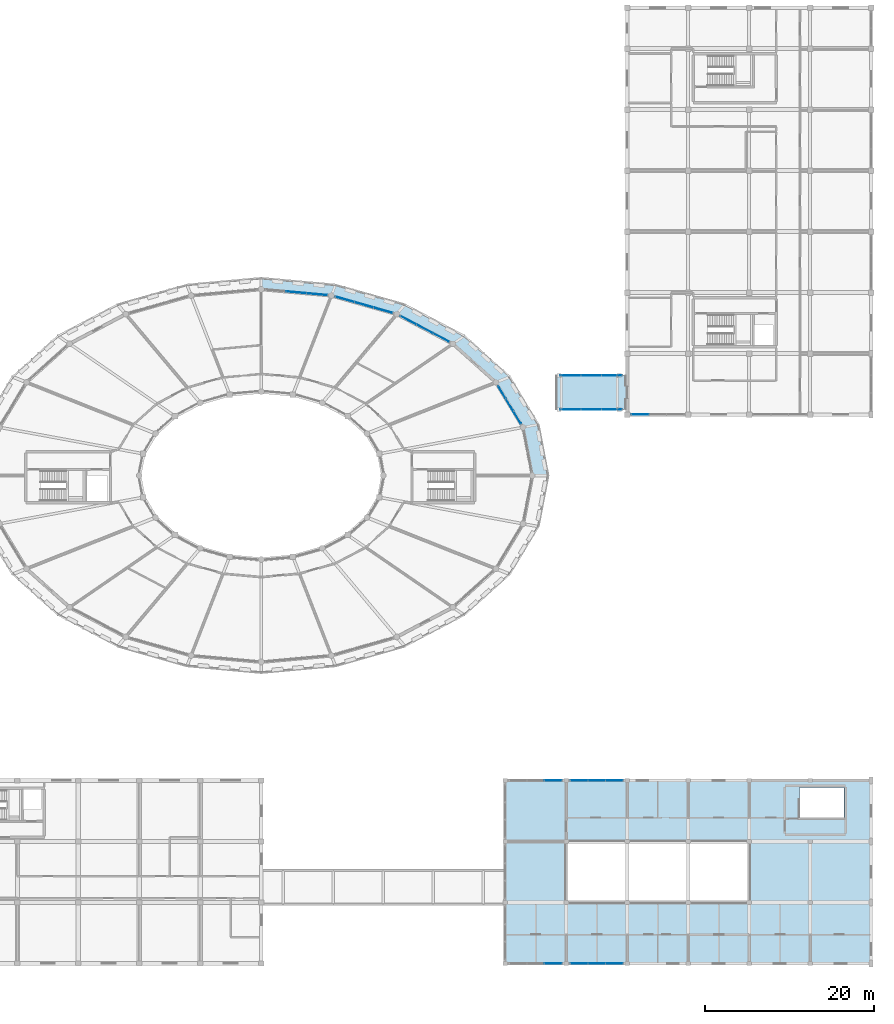
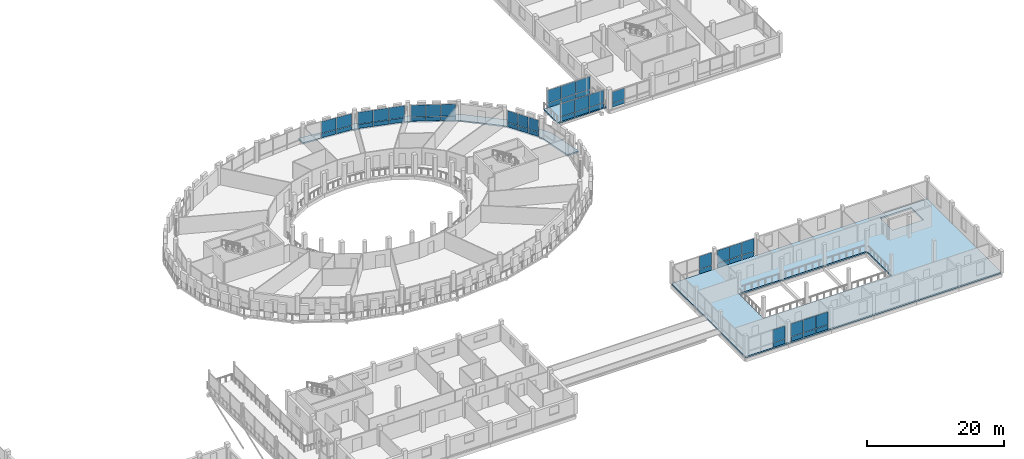
# One storey, part 102 of 128: 52 plates, 3 slabs, 11 elements without a shape of their own.
"""IFC4 building model written with IfcOpenShell, lengths in metres."""

from ifc_helpers import new_model, si_unit, direction, frame, origin, origin_2d, place, context, subcontext, project, spatial, polyline, rectangle, outline, extrude, material, layer, layer_set, type_object, element, aggregate, save


model = new_model("IFC4")

# Units and contexts
model_context = context("Model", 3, precision=1e-05, world=origin(), true_north=direction((0.0, 1.0)))
body_context = subcontext(model_context, "Body", "Model", "MODEL_VIEW")
ifc_project = project(units=[si_unit("LENGTHUNIT", "METRE"), si_unit("AREAUNIT", "SQUARE_METRE"), si_unit("VOLUMEUNIT", "CUBIC_METRE"), si_unit("PLANEANGLEUNIT", "RADIAN"), si_unit("MASSUNIT", "GRAM", prefix="KILO")], contexts=[model_context])

# Site, building, storey
site_placement = place(None, origin())
site = spatial("IfcSite", under=ifc_project, at=site_placement, CompositionType="ELEMENT")
building_placement = place(site_placement, origin())
building = spatial("IfcBuilding", under=site, at=building_placement, Name="Zornivar Specialist Clinic", CompositionType="ELEMENT")
storey_placement = place(building_placement, frame((0.0, 0.0, 4.5)))
storey = spatial("IfcBuildingStorey", under=building, at=storey_placement, Name="L01", CompositionType="ELEMENT", Elevation=4.5)

# Curtain wall, plates
ifc_material_1 = material(Name="Aluminium and Low-E Glass Curtain Wall", Category="aluminium")
curtain_wall_type_1 = type_object("IfcCurtainWallType", Name="CW-DRUM-FACET", PredefinedType="NOTDEFINED", material=ifc_material_1)
curtain_wall_1_placement = place(storey_placement, origin())
curtain_wall_1 = element("IfcCurtainWall", 1, at=curtain_wall_1_placement, inside=storey, type_object=curtain_wall_type_1, Name="cw:V1:L01:c05", PredefinedType="NOTDEFINED")
ifc_material_2 = material(Name="Insulated Bronze Spandrel Panel")
ifc_layer_1 = layer(ifc_material_2, 0.048095703125)
ifc_layer_set_1 = layer_set([ifc_layer_1], Name="Insulated Bronze Spandrel Panel")
plate_type_1 = type_object("IfcPlateType", Name="CWP-SPN-A", PredefinedType="CURTAIN_PANEL", material=ifc_layer_set_1)
plate_1_placement = place(storey_placement, frame((100.18310546875, 79.00390625, 0.03076171875), z_axis=(0.0, 0.0, 1.0), x_axis=(-0.995932792393, 0.09009923993, 0.0)))
plate_1 = element("IfcPlate", 2, at=plate_1_placement, type_object=plate_type_1, Name="cw:V1:L01:c05:spn:0", PredefinedType="CURTAIN_PANEL", context=body_context, shape_type="SweptSolid", body=[
    extrude(rectangle(XDim=2.382080078125, YDim=0.048095703125, at=origin_2d()), origin(), (0.0, 0.0, 1.0), 0.722900390625),
])
plate_2_placement = place(storey_placement, frame((97.740966796875, 79.22509765625, 0.03076171875), z_axis=(0.0, 0.0, 1.0), x_axis=(-0.995932792393, 0.09009923993, 0.0)))
plate_2 = element("IfcPlate", 3, at=plate_2_placement, type_object=plate_type_1, Name="cw:V1:L01:c05:spn:1", PredefinedType="CURTAIN_PANEL", context=body_context, shape_type="SweptSolid", body=[
    extrude(rectangle(XDim=2.382080078125, YDim=0.048095703125, at=origin_2d()), origin(), (0.0, 0.0, 1.0), 0.722900390625),
])

curtain_wall_2_placement = place(storey_placement, origin())
curtain_wall_2 = element("IfcCurtainWall", 4, at=curtain_wall_2_placement, inside=storey, type_object=curtain_wall_type_1, Name="cw:V1:L01:c01", PredefinedType="NOTDEFINED")
ifc_material_3 = material(Name="Insulated Bronze Spandrel Panel")
ifc_layer_2 = layer(ifc_material_3, 0.048095703125)
ifc_layer_set_2 = layer_set([ifc_layer_2], Name="Insulated Bronze Spandrel Panel")
plate_type_2 = type_object("IfcPlateType", Name="CWP-SPN-C", PredefinedType="CURTAIN_PANEL", material=ifc_layer_set_2)
plate_3_placement = place(storey_placement, frame((123.81201171875, 64.452880859375, 0.03076171875), z_axis=(0.0, 0.0, 1.0), x_axis=(-0.516127401954, 0.856511824175, 0.0)))
plate_3 = element("IfcPlate", 5, at=plate_3_placement, type_object=plate_type_2, Name="cw:V1:L01:c01:spn:0", PredefinedType="CURTAIN_PANEL", context=body_context, shape_type="SweptSolid", body=[
    extrude(rectangle(XDim=1.675048828125, YDim=0.048095703125, at=origin_2d()), origin(), (0.0, 0.0, 1.0), 0.722900390625),
])
plate_4_placement = place(storey_placement, frame((122.912109375, 65.947021484375, 0.03076171875), z_axis=(0.0, 0.0, 1.0), x_axis=(-0.516127401954, 0.856511824175, 0.0)))
plate_4 = element("IfcPlate", 6, at=plate_4_placement, type_object=plate_type_2, Name="cw:V1:L01:c01:spn:1", PredefinedType="CURTAIN_PANEL", context=body_context, shape_type="SweptSolid", body=[
    extrude(rectangle(XDim=1.675048828125, YDim=0.048095703125, at=origin_2d()), origin(), (0.0, 0.0, 1.0), 0.722900390625),
])
plate_5_placement = place(storey_placement, frame((122.010986328125, 67.44189453125, 0.03076171875), z_axis=(0.0, 0.0, 1.0), x_axis=(-0.516127401954, 0.856511824175, 0.0)))
plate_5 = element("IfcPlate", 7, at=plate_5_placement, type_object=plate_type_2, Name="cw:V1:L01:c01:spn:2", PredefinedType="CURTAIN_PANEL", context=body_context, shape_type="SweptSolid", body=[
    extrude(rectangle(XDim=1.675048828125, YDim=0.048095703125, at=origin_2d()), origin(), (0.0, 0.0, 1.0), 0.722900390625),
])

# Curtain wall, plate
ifc_material_4 = material(Name="Aluminium and Low-E Glass Curtain Wall", Category="aluminium")
curtain_wall_type_2 = type_object("IfcCurtainWallType", Name="CW-LAB-NORTH", PredefinedType="NOTDEFINED", material=ifc_material_4)
curtain_wall_3_placement = place(storey_placement, origin())
curtain_wall_3 = element("IfcCurtainWall", 8, at=curtain_wall_3_placement, inside=storey, type_object=curtain_wall_type_2, Name="cw:V6:L01:00", PredefinedType="NOTDEFINED")
ifc_material_5 = material(Name="Insulated Limestone-Faced Spandrel Panel", Category="masonry")
ifc_layer_3 = layer(ifc_material_5, 0.05810546875)
ifc_layer_set_3 = layer_set([ifc_layer_3], Name="Insulated Limestone-Faced Spandrel Panel")
plate_type_3 = type_object("IfcPlateType", Name="CWP-SPN-D", PredefinedType="CURTAIN_PANEL", material=ifc_layer_set_3)
plate_6_placement = place(storey_placement, frame((138.320068359375, 64.800048828125, 0.030029296875), z_axis=(0.0, 0.0, 1.0), x_axis=(1.0, 0.0, 0.0)))
plate_6 = element("IfcPlate", 9, at=plate_6_placement, type_object=plate_type_3, Name="cw:V6:L01:00:spn:0", PredefinedType="CURTAIN_PANEL", context=body_context, shape_type="SweptSolid", body=[
    extrude(rectangle(XDim=2.010009765625, YDim=0.05810546875, at=origin_2d()), origin(), (0.0, 0.0, 1.0), 0.68603515625),
])

# Curtain wall, plates
curtain_wall_4_placement = place(storey_placement, origin())
curtain_wall_4 = element("IfcCurtainWall", 10, at=curtain_wall_4_placement, inside=storey, type_object=curtain_wall_type_1, Name="cw:V1:L01:c03", PredefinedType="NOTDEFINED")
ifc_material_6 = material(Name="Insulated Bronze Spandrel Panel")
ifc_layer_4 = layer(ifc_material_6, 0.0458984375)
ifc_layer_set_4 = layer_set([ifc_layer_4], Name="Insulated Bronze Spandrel Panel")
plate_type_4 = type_object("IfcPlateType", Name="CWP-SPN-E", PredefinedType="CURTAIN_PANEL", material=ifc_layer_set_4)
plate_7_placement = place(storey_placement, frame((114.839111328125, 73.887939453125, 0.03076171875), z_axis=(0.0, 0.0, 1.0), x_axis=(-0.884383019078, 0.46676190458, 0.0)))
plate_7 = element("IfcPlate", 11, at=plate_7_placement, type_object=plate_type_4, Name="cw:V1:L01:c03:spn:0", PredefinedType="CURTAIN_PANEL", context=body_context, shape_type="SweptSolid", body=[
    extrude(rectangle(XDim=2.10791015625, YDim=0.0458984375, at=origin_2d()), origin(), (0.0, 0.0, 1.0), 0.722900390625),
])
plate_8_placement = place(storey_placement, frame((112.9130859375, 74.904052734375, 0.03076171875), z_axis=(0.0, 0.0, 1.0), x_axis=(-0.884383019078, 0.46676190458, 0.0)))
plate_8 = element("IfcPlate", 12, at=plate_8_placement, type_object=plate_type_4, Name="cw:V1:L01:c03:spn:1", PredefinedType="CURTAIN_PANEL", context=body_context, shape_type="SweptSolid", body=[
    extrude(rectangle(XDim=2.10791015625, YDim=0.0458984375, at=origin_2d()), origin(), (0.0, 0.0, 1.0), 0.722900390625),
])
plate_9_placement = place(storey_placement, frame((110.987060546875, 75.9208984375, 0.03076171875), z_axis=(0.0, 0.0, 1.0), x_axis=(-0.884383019078, 0.46676190458, 0.0)))
plate_9 = element("IfcPlate", 13, at=plate_9_placement, type_object=plate_type_4, Name="cw:V1:L01:c03:spn:2", PredefinedType="CURTAIN_PANEL", context=body_context, shape_type="SweptSolid", body=[
    extrude(rectangle(XDim=2.10791015625, YDim=0.0458984375, at=origin_2d()), origin(), (0.0, 0.0, 1.0), 0.722900390625),
])

ifc_material_7 = material(Name="Aluminium and Low-E Glass Curtain Wall", Category="aluminium")
curtain_wall_type_3 = type_object("IfcCurtainWallType", Name="CW-BRIDGE-LINK", PredefinedType="NOTDEFINED", material=ifc_material_7)
curtain_wall_5_placement = place(storey_placement, origin())
curtain_wall_5 = element("IfcCurtainWall", 14, at=curtain_wall_5_placement, inside=storey, type_object=curtain_wall_type_3, Name="cw:BR3:L01:S:0", PredefinedType="NOTDEFINED")
plate_10_placement = place(storey_placement, frame((130.10009765625, 65.39990234375, 0.02978515625), z_axis=(0.0, 0.0, 1.0), x_axis=(1.0, 0.0, 0.0)))
plate_10 = element("IfcPlate", 15, at=plate_10_placement, type_object=plate_type_4, Name="cw:BR3:L01:S:0:spn:0", PredefinedType="CURTAIN_PANEL", context=body_context, shape_type="SweptSolid", body=[
    extrude(rectangle(XDim=2.3701171875, YDim=0.0458984375, at=origin_2d()), origin(), (0.0, 0.0, 1.0), 0.781982421875),
])
plate_11_placement = place(storey_placement, frame((132.5400390625, 65.39990234375, 0.02978515625), z_axis=(0.0, 0.0, 1.0), x_axis=(1.0, 0.0, 0.0)))
plate_11 = element("IfcPlate", 16, at=plate_11_placement, type_object=plate_type_4, Name="cw:BR3:L01:S:0:spn:1", PredefinedType="CURTAIN_PANEL", context=body_context, shape_type="SweptSolid", body=[
    extrude(rectangle(XDim=2.3701171875, YDim=0.0458984375, at=origin_2d()), origin(), (0.0, 0.0, 1.0), 0.781982421875),
])
plate_12_placement = place(storey_placement, frame((134.97998046875, 65.39990234375, 0.02978515625), z_axis=(0.0, 0.0, 1.0), x_axis=(1.0, 0.0, 0.0)))
plate_12 = element("IfcPlate", 17, at=plate_12_placement, type_object=plate_type_4, Name="cw:BR3:L01:S:0:spn:2", PredefinedType="CURTAIN_PANEL", context=body_context, shape_type="SweptSolid", body=[
    extrude(rectangle(XDim=2.3701171875, YDim=0.0458984375, at=origin_2d()), origin(), (0.0, 0.0, 1.0), 0.781982421875),
])

curtain_wall_6_placement = place(storey_placement, origin())
curtain_wall_6 = element("IfcCurtainWall", 18, at=curtain_wall_6_placement, inside=storey, type_object=curtain_wall_type_3, Name="cw:BR3:L01:N:0", PredefinedType="NOTDEFINED")
plate_13_placement = place(storey_placement, frame((130.10009765625, 69.39990234375, 0.02978515625), z_axis=(0.0, 0.0, 1.0), x_axis=(1.0, 0.0, 0.0)))
plate_13 = element("IfcPlate", 19, at=plate_13_placement, type_object=plate_type_4, Name="cw:BR3:L01:N:0:spn:0", PredefinedType="CURTAIN_PANEL", context=body_context, shape_type="SweptSolid", body=[
    extrude(rectangle(XDim=2.3701171875, YDim=0.0458984375, at=origin_2d()), origin(), (0.0, 0.0, 1.0), 0.781982421875),
])
plate_14_placement = place(storey_placement, frame((132.5400390625, 69.39990234375, 0.02978515625), z_axis=(0.0, 0.0, 1.0), x_axis=(1.0, 0.0, 0.0)))
plate_14 = element("IfcPlate", 20, at=plate_14_placement, type_object=plate_type_4, Name="cw:BR3:L01:N:0:spn:1", PredefinedType="CURTAIN_PANEL", context=body_context, shape_type="SweptSolid", body=[
    extrude(rectangle(XDim=2.3701171875, YDim=0.0458984375, at=origin_2d()), origin(), (0.0, 0.0, 1.0), 0.781982421875),
])
plate_15_placement = place(storey_placement, frame((134.97998046875, 69.39990234375, 0.02978515625), z_axis=(0.0, 0.0, 1.0), x_axis=(1.0, 0.0, 0.0)))
plate_15 = element("IfcPlate", 21, at=plate_15_placement, type_object=plate_type_4, Name="cw:BR3:L01:N:0:spn:2", PredefinedType="CURTAIN_PANEL", context=body_context, shape_type="SweptSolid", body=[
    extrude(rectangle(XDim=2.3701171875, YDim=0.0458984375, at=origin_2d()), origin(), (0.0, 0.0, 1.0), 0.781982421875),
])

curtain_wall_7_placement = place(storey_placement, origin())
curtain_wall_7 = element("IfcCurtainWall", 22, at=curtain_wall_7_placement, inside=storey, type_object=curtain_wall_type_1, Name="cw:V1:L01:c04", PredefinedType="NOTDEFINED")
ifc_material_8 = material(Name="Insulated Terracotta Spandrel Panel", Category="masonry")
ifc_layer_5 = layer(ifc_material_8, 0.05810546875)
ifc_layer_set_5 = layer_set([ifc_layer_5], Name="Insulated Terracotta Spandrel Panel")
plate_type_5 = type_object("IfcPlateType", Name="CWP-SPN-F", PredefinedType="CURTAIN_PANEL", material=ifc_layer_set_5)
plate_16_placement = place(storey_placement, frame((108.006103515625, 77.10595703125, 0.03076171875), z_axis=(0.0, 0.0, 1.0), x_axis=(-0.961761244933, 0.273889225319, 0.0)))
plate_16 = element("IfcPlate", 23, at=plate_16_placement, type_object=plate_type_5, Name="cw:V1:L01:c04:spn:0", PredefinedType="CURTAIN_PANEL", context=body_context, shape_type="SweptSolid", body=[
    extrude(rectangle(XDim=2.284912109375, YDim=0.05810546875, at=origin_2d()), origin(), (0.0, 0.0, 1.0), 0.722900390625),
])
plate_17_placement = place(storey_placement, frame((105.740966796875, 77.7509765625, 0.03076171875), z_axis=(0.0, 0.0, 1.0), x_axis=(-0.961761244933, 0.273889225319, 0.0)))
plate_17 = element("IfcPlate", 24, at=plate_17_placement, type_object=plate_type_5, Name="cw:V1:L01:c04:spn:1", PredefinedType="CURTAIN_PANEL", context=body_context, shape_type="SweptSolid", body=[
    extrude(rectangle(XDim=2.284912109375, YDim=0.05810546875, at=origin_2d()), origin(), (0.0, 0.0, 1.0), 0.722900390625),
])
plate_18_placement = place(storey_placement, frame((103.47607421875, 78.39599609375, 0.03076171875), z_axis=(0.0, 0.0, 1.0), x_axis=(-0.961761244933, 0.273889225319, 0.0)))
plate_18 = element("IfcPlate", 25, at=plate_18_placement, type_object=plate_type_5, Name="cw:V1:L01:c04:spn:2", PredefinedType="CURTAIN_PANEL", context=body_context, shape_type="SweptSolid", body=[
    extrude(rectangle(XDim=2.284912109375, YDim=0.05810546875, at=origin_2d()), origin(), (0.0, 0.0, 1.0), 0.722900390625),
])

# Curtain wall, plate
ifc_material_9 = material(Name="Aluminium and Low-E Glass Curtain Wall", Category="aluminium")
curtain_wall_type_4 = type_object("IfcCurtainWallType", Name="CW-WINTERGARDEN", PredefinedType="NOTDEFINED", material=ifc_material_9)
curtain_wall_8_placement = place(storey_placement, origin())
curtain_wall_8 = element("IfcCurtainWall", 26, at=curtain_wall_8_placement, inside=storey, type_object=curtain_wall_type_4, Name="cw:V4:L01:00", PredefinedType="NOTDEFINED")
plate_19_placement = place(storey_placement, frame((128.080078125, 0.0, 0.030029296875), z_axis=(0.0, 0.0, 1.0), x_axis=(1.0, 0.0, 0.0)))
plate_19 = element("IfcPlate", 27, at=plate_19_placement, type_object=plate_type_5, Name="cw:V4:L01:00:spn:2", PredefinedType="CURTAIN_PANEL", context=body_context, shape_type="SweptSolid", body=[
    extrude(rectangle(XDim=2.010009765625, YDim=0.05810546875, at=origin_2d()), origin(), (0.0, 0.0, 1.0), 0.7880859375),
])

# Curtain wall, plates
curtain_wall_9_placement = place(storey_placement, origin())
curtain_wall_9 = element("IfcCurtainWall", 28, at=curtain_wall_9_placement, inside=storey, type_object=curtain_wall_type_4, Name="cw:V4:L01:01", PredefinedType="NOTDEFINED")
plate_20_placement = place(storey_placement, frame((131.1201171875, 0.0, 0.030029296875), z_axis=(0.0, 0.0, 1.0), x_axis=(1.0, 0.0, 0.0)))
plate_20 = element("IfcPlate", 29, at=plate_20_placement, type_object=plate_type_5, Name="cw:V4:L01:01:spn:0", PredefinedType="CURTAIN_PANEL", context=body_context, shape_type="SweptSolid", body=[
    extrude(rectangle(XDim=2.010009765625, YDim=0.05810546875, at=origin_2d()), origin(), (0.0, 0.0, 1.0), 0.7880859375),
])
plate_21_placement = place(storey_placement, frame((133.199951171875, 0.0, 0.030029296875), z_axis=(0.0, 0.0, 1.0), x_axis=(1.0, 0.0, 0.0)))
plate_21 = element("IfcPlate", 30, at=plate_21_placement, type_object=plate_type_5, Name="cw:V4:L01:01:spn:1", PredefinedType="CURTAIN_PANEL", context=body_context, shape_type="SweptSolid", body=[
    extrude(rectangle(XDim=2.010009765625, YDim=0.05810546875, at=origin_2d()), origin(), (0.0, 0.0, 1.0), 0.7880859375),
])
plate_22_placement = place(storey_placement, frame((135.280029296875, 0.0, 0.030029296875), z_axis=(0.0, 0.0, 1.0), x_axis=(1.0, 0.0, 0.0)))
plate_22 = element("IfcPlate", 31, at=plate_22_placement, type_object=plate_type_5, Name="cw:V4:L01:01:spn:2", PredefinedType="CURTAIN_PANEL", context=body_context, shape_type="SweptSolid", body=[
    extrude(rectangle(XDim=2.010009765625, YDim=0.05810546875, at=origin_2d()), origin(), (0.0, 0.0, 1.0), 0.7880859375),
])

curtain_wall_10_placement = place(storey_placement, origin())
curtain_wall_10 = element("IfcCurtainWall", 32, at=curtain_wall_10_placement, inside=storey, type_object=curtain_wall_type_4, Name="cw:V4:L01:13", PredefinedType="NOTDEFINED")
plate_23_placement = place(storey_placement, frame((135.280029296875, 21.60009765625, 0.030029296875), z_axis=(0.0, 0.0, 1.0), x_axis=(-1.0, 0.0, 0.0)))
plate_23 = element("IfcPlate", 33, at=plate_23_placement, type_object=plate_type_5, Name="cw:V4:L01:13:spn:0", PredefinedType="CURTAIN_PANEL", context=body_context, shape_type="SweptSolid", body=[
    extrude(rectangle(XDim=2.010009765625, YDim=0.05810546875, at=origin_2d()), origin(), (0.0, 0.0, 1.0), 0.7880859375),
])
plate_24_placement = place(storey_placement, frame((133.199951171875, 21.60009765625, 0.030029296875), z_axis=(0.0, 0.0, 1.0), x_axis=(-1.0, 0.0, 0.0)))
plate_24 = element("IfcPlate", 34, at=plate_24_placement, type_object=plate_type_5, Name="cw:V4:L01:13:spn:1", PredefinedType="CURTAIN_PANEL", context=body_context, shape_type="SweptSolid", body=[
    extrude(rectangle(XDim=2.010009765625, YDim=0.05810546875, at=origin_2d()), origin(), (0.0, 0.0, 1.0), 0.7880859375),
])
plate_25_placement = place(storey_placement, frame((131.1201171875, 21.60009765625, 0.030029296875), z_axis=(0.0, 0.0, 1.0), x_axis=(-1.0, 0.0, 0.0)))
plate_25 = element("IfcPlate", 35, at=plate_25_placement, type_object=plate_type_5, Name="cw:V4:L01:13:spn:2", PredefinedType="CURTAIN_PANEL", context=body_context, shape_type="SweptSolid", body=[
    extrude(rectangle(XDim=2.010009765625, YDim=0.05810546875, at=origin_2d()), origin(), (0.0, 0.0, 1.0), 0.7880859375),
])

# Curtain wall, plate
curtain_wall_11_placement = place(storey_placement, origin())
curtain_wall_11 = element("IfcCurtainWall", 36, at=curtain_wall_11_placement, inside=storey, type_object=curtain_wall_type_4, Name="cw:V4:L01:14", PredefinedType="NOTDEFINED")
plate_26_placement = place(storey_placement, frame((128.080078125, 21.60009765625, 0.030029296875), z_axis=(0.0, 0.0, 1.0), x_axis=(-1.0, 0.0, 0.0)))
plate_26 = element("IfcPlate", 37, at=plate_26_placement, type_object=plate_type_5, Name="cw:V4:L01:14:spn:0", PredefinedType="CURTAIN_PANEL", context=body_context, shape_type="SweptSolid", body=[
    extrude(rectangle(XDim=2.010009765625, YDim=0.05810546875, at=origin_2d()), origin(), (0.0, 0.0, 1.0), 0.7880859375),
])

# Plate
ifc_material_10 = material(Name="Triple Low-E Vision Glass", Category="glass")
ifc_layer_6 = layer(ifc_material_10, 0.035888671875)
ifc_layer_set_6 = layer_set([ifc_layer_6], Name="Triple Low-E Vision Glass")
plate_type_6 = type_object("IfcPlateType", Name="CWP-VIS-C", PredefinedType="CURTAIN_PANEL", material=ifc_layer_set_6)
plate_27_placement = place(storey_placement, frame((123.81201171875, 64.452880859375, 0.81787109375), z_axis=(0.0, 0.0, 1.0), x_axis=(-0.516127401954, 0.856511824175, 0.0)))
plate_27 = element("IfcPlate", 38, at=plate_27_placement, type_object=plate_type_6, Name="cw:V1:L01:c01:vis:0", PredefinedType="CURTAIN_PANEL", context=body_context, shape_type="SweptSolid", body=[
    extrude(rectangle(XDim=1.675048828125, YDim=0.035888671875, at=origin_2d()), origin(), (0.0, 0.0, 1.0), 2.092041015625),
])

plate_28_placement = place(storey_placement, frame((122.912109375, 65.947021484375, 0.81787109375), z_axis=(0.0, 0.0, 1.0), x_axis=(-0.516127401954, 0.856511824175, 0.0)))
plate_28 = element("IfcPlate", 39, at=plate_28_placement, type_object=plate_type_6, Name="cw:V1:L01:c01:vis:1", PredefinedType="CURTAIN_PANEL", context=body_context, shape_type="SweptSolid", body=[
    extrude(rectangle(XDim=1.675048828125, YDim=0.035888671875, at=origin_2d()), origin(), (0.0, 0.0, 1.0), 2.092041015625),
])

plate_29_placement = place(storey_placement, frame((122.010986328125, 67.44189453125, 0.81787109375), z_axis=(0.0, 0.0, 1.0), x_axis=(-0.516127401954, 0.856511824175, 0.0)))
plate_29 = element("IfcPlate", 40, at=plate_29_placement, type_object=plate_type_6, Name="cw:V1:L01:c01:vis:2", PredefinedType="CURTAIN_PANEL", context=body_context, shape_type="SweptSolid", body=[
    extrude(rectangle(XDim=1.675048828125, YDim=0.035888671875, at=origin_2d()), origin(), (0.0, 0.0, 1.0), 2.092041015625),
])

aggregate(curtain_wall_2, [plate_3, plate_27, plate_4, plate_28, plate_5, plate_29])

ifc_material_11 = material(Name="Triple Low-E Vision Glass", Category="glass")
ifc_layer_7 = layer(ifc_material_11, 0.035888671875)
ifc_layer_set_7 = layer_set([ifc_layer_7], Name="Triple Low-E Vision Glass")
plate_type_7 = type_object("IfcPlateType", Name="CWP-VIS-E", PredefinedType="CURTAIN_PANEL", material=ifc_layer_set_7)
plate_30_placement = place(storey_placement, frame((114.839111328125, 73.887939453125, 0.81787109375), z_axis=(0.0, 0.0, 1.0), x_axis=(-0.884383019078, 0.46676190458, 0.0)))
plate_30 = element("IfcPlate", 41, at=plate_30_placement, type_object=plate_type_7, Name="cw:V1:L01:c03:vis:0", PredefinedType="CURTAIN_PANEL", context=body_context, shape_type="SweptSolid", body=[
    extrude(rectangle(XDim=2.10791015625, YDim=0.035888671875, at=origin_2d()), origin(), (0.0, 0.0, 1.0), 2.092041015625),
])

plate_31_placement = place(storey_placement, frame((112.9130859375, 74.904052734375, 0.81787109375), z_axis=(0.0, 0.0, 1.0), x_axis=(-0.884383019078, 0.46676190458, 0.0)))
plate_31 = element("IfcPlate", 42, at=plate_31_placement, type_object=plate_type_7, Name="cw:V1:L01:c03:vis:1", PredefinedType="CURTAIN_PANEL", context=body_context, shape_type="SweptSolid", body=[
    extrude(rectangle(XDim=2.10791015625, YDim=0.035888671875, at=origin_2d()), origin(), (0.0, 0.0, 1.0), 2.092041015625),
])

plate_32_placement = place(storey_placement, frame((110.987060546875, 75.9208984375, 0.81787109375), z_axis=(0.0, 0.0, 1.0), x_axis=(-0.884383019078, 0.46676190458, 0.0)))
plate_32 = element("IfcPlate", 43, at=plate_32_placement, type_object=plate_type_7, Name="cw:V1:L01:c03:vis:2", PredefinedType="CURTAIN_PANEL", context=body_context, shape_type="SweptSolid", body=[
    extrude(rectangle(XDim=2.10791015625, YDim=0.035888671875, at=origin_2d()), origin(), (0.0, 0.0, 1.0), 2.092041015625),
])

aggregate(curtain_wall_4, [plate_7, plate_30, plate_8, plate_31, plate_9, plate_32])

ifc_material_12 = material(Name="Triple Low-E Vision Glass", Category="glass")
ifc_layer_8 = layer(ifc_material_12, 0.035888671875)
ifc_layer_set_8 = layer_set([ifc_layer_8], Name="Triple Low-E Vision Glass")
plate_type_8 = type_object("IfcPlateType", Name="CWP-VIS-F", PredefinedType="CURTAIN_PANEL", material=ifc_layer_set_8)
plate_33_placement = place(storey_placement, frame((108.006103515625, 77.10595703125, 0.81787109375), z_axis=(0.0, 0.0, 1.0), x_axis=(-0.961761244933, 0.273889225319, 0.0)))
plate_33 = element("IfcPlate", 44, at=plate_33_placement, type_object=plate_type_8, Name="cw:V1:L01:c04:vis:0", PredefinedType="CURTAIN_PANEL", context=body_context, shape_type="SweptSolid", body=[
    extrude(rectangle(XDim=2.284912109375, YDim=0.035888671875, at=origin_2d()), origin(), (0.0, 0.0, 1.0), 2.092041015625),
])

plate_34_placement = place(storey_placement, frame((105.740966796875, 77.7509765625, 0.81787109375), z_axis=(0.0, 0.0, 1.0), x_axis=(-0.961761244933, 0.273889225319, 0.0)))
plate_34 = element("IfcPlate", 45, at=plate_34_placement, type_object=plate_type_8, Name="cw:V1:L01:c04:vis:1", PredefinedType="CURTAIN_PANEL", context=body_context, shape_type="SweptSolid", body=[
    extrude(rectangle(XDim=2.284912109375, YDim=0.035888671875, at=origin_2d()), origin(), (0.0, 0.0, 1.0), 2.092041015625),
])

plate_35_placement = place(storey_placement, frame((103.47607421875, 78.39599609375, 0.81787109375), z_axis=(0.0, 0.0, 1.0), x_axis=(-0.961761244933, 0.273889225319, 0.0)))
plate_35 = element("IfcPlate", 46, at=plate_35_placement, type_object=plate_type_8, Name="cw:V1:L01:c04:vis:2", PredefinedType="CURTAIN_PANEL", context=body_context, shape_type="SweptSolid", body=[
    extrude(rectangle(XDim=2.284912109375, YDim=0.035888671875, at=origin_2d()), origin(), (0.0, 0.0, 1.0), 2.092041015625),
])

aggregate(curtain_wall_7, [plate_16, plate_33, plate_17, plate_34, plate_18, plate_35])

plate_36_placement = place(storey_placement, frame((138.320068359375, 64.800048828125, 0.78125), z_axis=(0.0, 0.0, 1.0), x_axis=(1.0, 0.0, 0.0)))
plate_36 = element("IfcPlate", 47, at=plate_36_placement, type_object=plate_type_8, Name="cw:V6:L01:00:vis:0", PredefinedType="CURTAIN_PANEL", context=body_context, shape_type="SweptSolid", body=[
    extrude(rectangle(XDim=2.010009765625, YDim=0.035888671875, at=origin_2d()), origin(), (0.0, 0.0, 1.0), 1.989013671875),
])

aggregate(curtain_wall_3, [plate_6, plate_36])

ifc_material_13 = material(Name="Triple Low-E Vision Glass", Category="glass")
ifc_layer_9 = layer(ifc_material_13, 0.035888671875)
ifc_layer_set_9 = layer_set([ifc_layer_9], Name="Triple Low-E Vision Glass")
plate_type_9 = type_object("IfcPlateType", Name="CWP-VIS-G", PredefinedType="CURTAIN_PANEL", material=ifc_layer_set_9)
plate_37_placement = place(storey_placement, frame((100.18310546875, 79.00390625, 0.81787109375), z_axis=(0.0, 0.0, 1.0), x_axis=(-0.995932792393, 0.09009923993, 0.0)))
plate_37 = element("IfcPlate", 48, at=plate_37_placement, type_object=plate_type_9, Name="cw:V1:L01:c05:vis:0", PredefinedType="CURTAIN_PANEL", context=body_context, shape_type="SweptSolid", body=[
    extrude(rectangle(XDim=2.382080078125, YDim=0.035888671875, at=origin_2d()), origin(), (0.0, 0.0, 1.0), 2.092041015625),
])

plate_38_placement = place(storey_placement, frame((97.740966796875, 79.22509765625, 0.81787109375), z_axis=(0.0, 0.0, 1.0), x_axis=(-0.995932792393, 0.09009923993, 0.0)))
plate_38 = element("IfcPlate", 49, at=plate_38_placement, type_object=plate_type_9, Name="cw:V1:L01:c05:vis:1", PredefinedType="CURTAIN_PANEL", context=body_context, shape_type="SweptSolid", body=[
    extrude(rectangle(XDim=2.382080078125, YDim=0.035888671875, at=origin_2d()), origin(), (0.0, 0.0, 1.0), 2.092041015625),
])

aggregate(curtain_wall_1, [plate_1, plate_37, plate_2, plate_38])

ifc_material_14 = material(Name="Solar-Control Wintergarden Glass", Category="glass")
ifc_layer_10 = layer(ifc_material_14, 0.0419921875)
ifc_layer_set_10 = layer_set([ifc_layer_10], Name="Solar-Control Wintergarden Glass")
plate_type_10 = type_object("IfcPlateType", Name="CWP-VIS-K", PredefinedType="CURTAIN_PANEL", material=ifc_layer_set_10)
plate_39_placement = place(storey_placement, frame((128.080078125, 0.0, 0.88232421875), z_axis=(0.0, 0.0, 1.0), x_axis=(1.0, 0.0, 0.0)))
plate_39 = element("IfcPlate", 50, at=plate_39_placement, type_object=plate_type_10, Name="cw:V4:L01:00:vis:2", PredefinedType="CURTAIN_PANEL", context=body_context, shape_type="SweptSolid", body=[
    extrude(rectangle(XDim=2.010009765625, YDim=0.0419921875, at=origin_2d()), origin(), (0.0, 0.0, 1.0), 2.277099609375),
])

aggregate(curtain_wall_8, [plate_19, plate_39])

plate_40_placement = place(storey_placement, frame((131.1201171875, 0.0, 0.88232421875), z_axis=(0.0, 0.0, 1.0), x_axis=(1.0, 0.0, 0.0)))
plate_40 = element("IfcPlate", 51, at=plate_40_placement, type_object=plate_type_10, Name="cw:V4:L01:01:vis:0", PredefinedType="CURTAIN_PANEL", context=body_context, shape_type="SweptSolid", body=[
    extrude(rectangle(XDim=2.010009765625, YDim=0.0419921875, at=origin_2d()), origin(), (0.0, 0.0, 1.0), 2.277099609375),
])

plate_41_placement = place(storey_placement, frame((133.199951171875, 0.0, 0.88232421875), z_axis=(0.0, 0.0, 1.0), x_axis=(1.0, 0.0, 0.0)))
plate_41 = element("IfcPlate", 52, at=plate_41_placement, type_object=plate_type_10, Name="cw:V4:L01:01:vis:1", PredefinedType="CURTAIN_PANEL", context=body_context, shape_type="SweptSolid", body=[
    extrude(rectangle(XDim=2.010009765625, YDim=0.0419921875, at=origin_2d()), origin(), (0.0, 0.0, 1.0), 2.277099609375),
])

plate_42_placement = place(storey_placement, frame((135.280029296875, 0.0, 0.88232421875), z_axis=(0.0, 0.0, 1.0), x_axis=(1.0, 0.0, 0.0)))
plate_42 = element("IfcPlate", 53, at=plate_42_placement, type_object=plate_type_10, Name="cw:V4:L01:01:vis:2", PredefinedType="CURTAIN_PANEL", context=body_context, shape_type="SweptSolid", body=[
    extrude(rectangle(XDim=2.010009765625, YDim=0.0419921875, at=origin_2d()), origin(), (0.0, 0.0, 1.0), 2.277099609375),
])

aggregate(curtain_wall_9, [plate_20, plate_40, plate_21, plate_41, plate_22, plate_42])

plate_43_placement = place(storey_placement, frame((135.280029296875, 21.60009765625, 0.88232421875), z_axis=(0.0, 0.0, 1.0), x_axis=(-1.0, 0.0, 0.0)))
plate_43 = element("IfcPlate", 54, at=plate_43_placement, type_object=plate_type_10, Name="cw:V4:L01:13:vis:0", PredefinedType="CURTAIN_PANEL", context=body_context, shape_type="SweptSolid", body=[
    extrude(rectangle(XDim=2.010009765625, YDim=0.0419921875, at=origin_2d()), origin(), (0.0, 0.0, 1.0), 2.277099609375),
])

plate_44_placement = place(storey_placement, frame((133.199951171875, 21.60009765625, 0.88232421875), z_axis=(0.0, 0.0, 1.0), x_axis=(-1.0, 0.0, 0.0)))
plate_44 = element("IfcPlate", 55, at=plate_44_placement, type_object=plate_type_10, Name="cw:V4:L01:13:vis:1", PredefinedType="CURTAIN_PANEL", context=body_context, shape_type="SweptSolid", body=[
    extrude(rectangle(XDim=2.010009765625, YDim=0.0419921875, at=origin_2d()), origin(), (0.0, 0.0, 1.0), 2.277099609375),
])

plate_45_placement = place(storey_placement, frame((131.1201171875, 21.60009765625, 0.88232421875), z_axis=(0.0, 0.0, 1.0), x_axis=(-1.0, 0.0, 0.0)))
plate_45 = element("IfcPlate", 56, at=plate_45_placement, type_object=plate_type_10, Name="cw:V4:L01:13:vis:2", PredefinedType="CURTAIN_PANEL", context=body_context, shape_type="SweptSolid", body=[
    extrude(rectangle(XDim=2.010009765625, YDim=0.0419921875, at=origin_2d()), origin(), (0.0, 0.0, 1.0), 2.277099609375),
])

aggregate(curtain_wall_10, [plate_23, plate_43, plate_24, plate_44, plate_25, plate_45])

plate_46_placement = place(storey_placement, frame((128.080078125, 21.60009765625, 0.88232421875), z_axis=(0.0, 0.0, 1.0), x_axis=(-1.0, 0.0, 0.0)))
plate_46 = element("IfcPlate", 57, at=plate_46_placement, type_object=plate_type_10, Name="cw:V4:L01:14:vis:0", PredefinedType="CURTAIN_PANEL", context=body_context, shape_type="SweptSolid", body=[
    extrude(rectangle(XDim=2.010009765625, YDim=0.0419921875, at=origin_2d()), origin(), (0.0, 0.0, 1.0), 2.277099609375),
])

aggregate(curtain_wall_11, [plate_26, plate_46])

ifc_material_15 = material(Name="Bridge Acoustic Laminated Glass", Category="glass")
ifc_layer_11 = layer(ifc_material_15, 0.035888671875)
ifc_layer_set_11 = layer_set([ifc_layer_11], Name="Bridge Acoustic Laminated Glass")
plate_type_11 = type_object("IfcPlateType", Name="CWP-VIS-M", PredefinedType="CURTAIN_PANEL", material=ifc_layer_set_11)
plate_47_placement = place(storey_placement, frame((130.10009765625, 65.39990234375, 0.87646484375), z_axis=(0.0, 0.0, 1.0), x_axis=(1.0, 0.0, 0.0)))
plate_47 = element("IfcPlate", 58, at=plate_47_placement, type_object=plate_type_11, Name="cw:BR3:L01:S:0:vis:0", PredefinedType="CURTAIN_PANEL", context=body_context, shape_type="SweptSolid", body=[
    extrude(rectangle(XDim=2.3701171875, YDim=0.035888671875, at=origin_2d()), origin(), (0.0, 0.0, 1.0), 2.262939453125),
])

plate_48_placement = place(storey_placement, frame((132.5400390625, 65.39990234375, 0.87646484375), z_axis=(0.0, 0.0, 1.0), x_axis=(1.0, 0.0, 0.0)))
plate_48 = element("IfcPlate", 59, at=plate_48_placement, type_object=plate_type_11, Name="cw:BR3:L01:S:0:vis:1", PredefinedType="CURTAIN_PANEL", context=body_context, shape_type="SweptSolid", body=[
    extrude(rectangle(XDim=2.3701171875, YDim=0.035888671875, at=origin_2d()), origin(), (0.0, 0.0, 1.0), 2.262939453125),
])

plate_49_placement = place(storey_placement, frame((134.97998046875, 65.39990234375, 0.87646484375), z_axis=(0.0, 0.0, 1.0), x_axis=(1.0, 0.0, 0.0)))
plate_49 = element("IfcPlate", 60, at=plate_49_placement, type_object=plate_type_11, Name="cw:BR3:L01:S:0:vis:2", PredefinedType="CURTAIN_PANEL", context=body_context, shape_type="SweptSolid", body=[
    extrude(rectangle(XDim=2.3701171875, YDim=0.035888671875, at=origin_2d()), origin(), (0.0, 0.0, 1.0), 2.262939453125),
])

aggregate(curtain_wall_5, [plate_10, plate_47, plate_11, plate_48, plate_12, plate_49])

plate_50_placement = place(storey_placement, frame((130.10009765625, 69.39990234375, 0.87646484375), z_axis=(0.0, 0.0, 1.0), x_axis=(1.0, 0.0, 0.0)))
plate_50 = element("IfcPlate", 61, at=plate_50_placement, type_object=plate_type_11, Name="cw:BR3:L01:N:0:vis:0", PredefinedType="CURTAIN_PANEL", context=body_context, shape_type="SweptSolid", body=[
    extrude(rectangle(XDim=2.3701171875, YDim=0.035888671875, at=origin_2d()), origin(), (0.0, 0.0, 1.0), 2.262939453125),
])

plate_51_placement = place(storey_placement, frame((132.5400390625, 69.39990234375, 0.87646484375), z_axis=(0.0, 0.0, 1.0), x_axis=(1.0, 0.0, 0.0)))
plate_51 = element("IfcPlate", 62, at=plate_51_placement, type_object=plate_type_11, Name="cw:BR3:L01:N:0:vis:1", PredefinedType="CURTAIN_PANEL", context=body_context, shape_type="SweptSolid", body=[
    extrude(rectangle(XDim=2.3701171875, YDim=0.035888671875, at=origin_2d()), origin(), (0.0, 0.0, 1.0), 2.262939453125),
])

plate_52_placement = place(storey_placement, frame((134.97998046875, 69.39990234375, 0.87646484375), z_axis=(0.0, 0.0, 1.0), x_axis=(1.0, 0.0, 0.0)))
plate_52 = element("IfcPlate", 63, at=plate_52_placement, type_object=plate_type_11, Name="cw:BR3:L01:N:0:vis:2", PredefinedType="CURTAIN_PANEL", context=body_context, shape_type="SweptSolid", body=[
    extrude(rectangle(XDim=2.3701171875, YDim=0.035888671875, at=origin_2d()), origin(), (0.0, 0.0, 1.0), 2.262939453125),
])

aggregate(curtain_wall_6, [plate_13, plate_50, plate_14, plate_51, plate_15, plate_52])

# Slabs
ifc_material_16 = material(Name="Concrete C30/37", Category="concrete")
ifc_layer_12 = layer(ifc_material_16, 0.239990234375)
ifc_layer_set_12 = layer_set([ifc_layer_12], Name="Concrete C30/37")
slab_type_1 = type_object("IfcSlabType", Name="SLB-EXT-BALC-240", PredefinedType="FLOOR", material=ifc_layer_set_12)
slab_1_placement = place(storey_placement, frame((0.0, 0.0, -0.239990234375)))
element("IfcSlab", 64, at=slab_1_placement, inside=storey, type_object=slab_type_1, Name="slab:V1:L01:balc:q0", PredefinedType="FLOOR", context=body_context, shape_type="SweptSolid", body=[
    extrude(outline(polyline([(125.60009765625, 57.60009765625), (124.510009765625, 63.2939453125), (121.31298828125, 68.60009765625), (116.22705078125, 73.156005859375), (109.60009765625, 76.653076171875), (101.882080078125, 78.85009765625), (93.60009765625, 79.60009765625), (93.60009765625, 80.919921875), (102.37890625, 80.125), (110.56005859375, 77.7958984375), (117.5849609375, 74.090087890625), (122.97607421875, 69.260009765625), (126.364013671875, 63.635986328125), (127.52001953125, 57.60009765625), (125.60009765625, 57.60009765625)])), origin(), (0.0, 0.0, 1.0), 0.239990234375),
])
ifc_material_17 = material(Name="Concrete C30/37", Category="concrete")
ifc_layer_13 = layer(ifc_material_17, 0.22998046875)
ifc_layer_set_13 = layer_set([ifc_layer_13], Name="Concrete C30/37")
slab_type_2 = type_object("IfcSlabType", Name="SLB-FLR-BRG-230", PredefinedType="FLOOR", material=ifc_layer_set_13)
slab_2_placement = place(storey_placement, frame((0.0, 0.0, -0.22998046875)))
element("IfcSlab", 65, at=slab_2_placement, inside=storey, type_object=slab_type_2, Name="slab:BR3:L01:deck", PredefinedType="FLOOR", context=body_context, shape_type="SweptSolid", body=[
    extrude(outline(polyline([(128.39990234375, 65.39990234375), (136.679931640625, 65.39990234375), (136.679931640625, 69.39990234375), (128.39990234375, 69.39990234375), (128.39990234375, 65.39990234375)])), origin(), (0.0, 0.0, 1.0), 0.22998046875),
])
ifc_material_18 = material(Name="Concrete C30/37", Category="concrete")
ifc_layer_14 = layer(ifc_material_18, 0.260009765625)
ifc_layer_set_14 = layer_set([ifc_layer_14], Name="Concrete C30/37")
slab_type_3 = type_object("IfcSlabType", Name="SLB-FLR-PAV-260", PredefinedType="FLOOR", material=ifc_layer_set_14)
slab_3_placement = place(storey_placement, frame((0.0, 0.0, -0.260009765625)))
element("IfcSlab", 66, at=slab_3_placement, inside=storey, type_object=slab_type_3, Name="slab:V4:L01:main", PredefinedType="FLOOR", context=body_context, shape_type="SweptSolid", body=[
    extrude(outline(polyline([(122.39990234375, 0.0), (165.60009765625, 0.0), (165.60009765625, 21.60009765625), (122.39990234375, 21.60009765625), (122.39990234375, 0.0)]), holes=[polyline([(157.1201171875, 17.199951171875), (162.39990234375, 17.199951171875), (162.39990234375, 20.800048828125), (157.1201171875, 20.800048828125), (157.1201171875, 17.199951171875)]), polyline([(129.60009765625, 7.199951171875), (151.199951171875, 7.199951171875), (151.199951171875, 14.39990234375), (129.60009765625, 14.39990234375), (129.60009765625, 7.199951171875)])]), origin(), (0.0, 0.0, 1.0), 0.260009765625),
])

save(model, "model.ifc")
